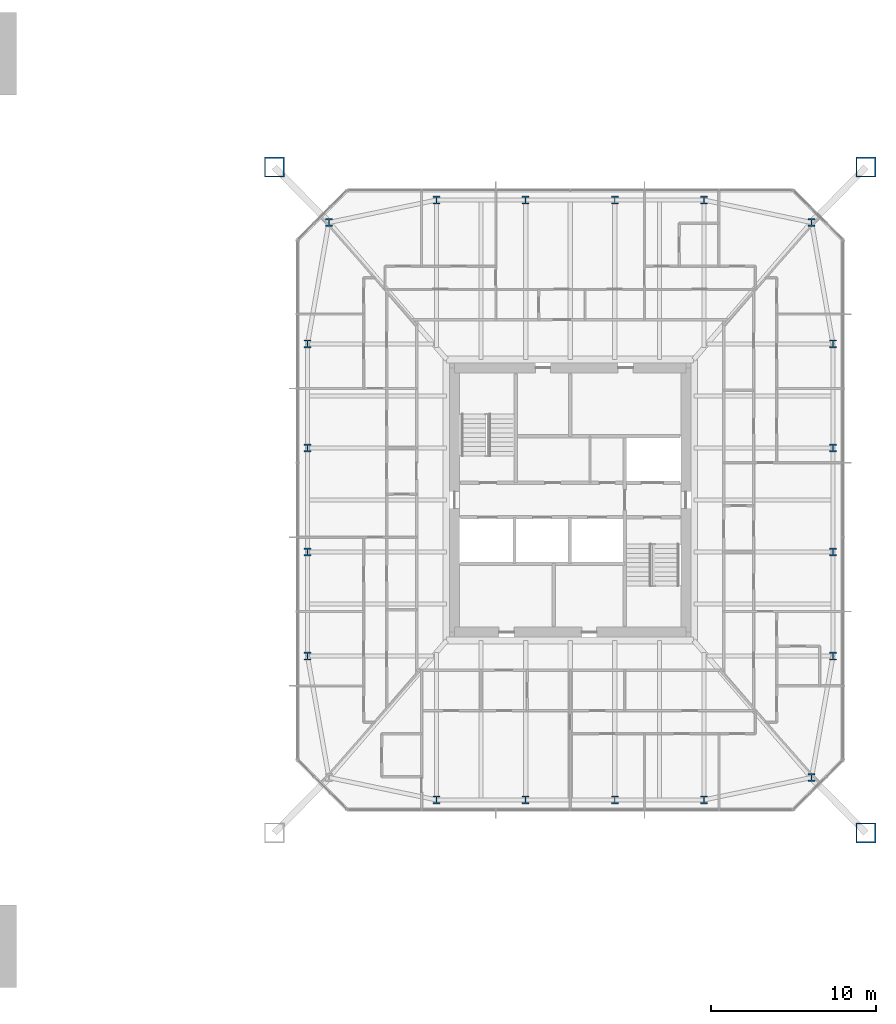
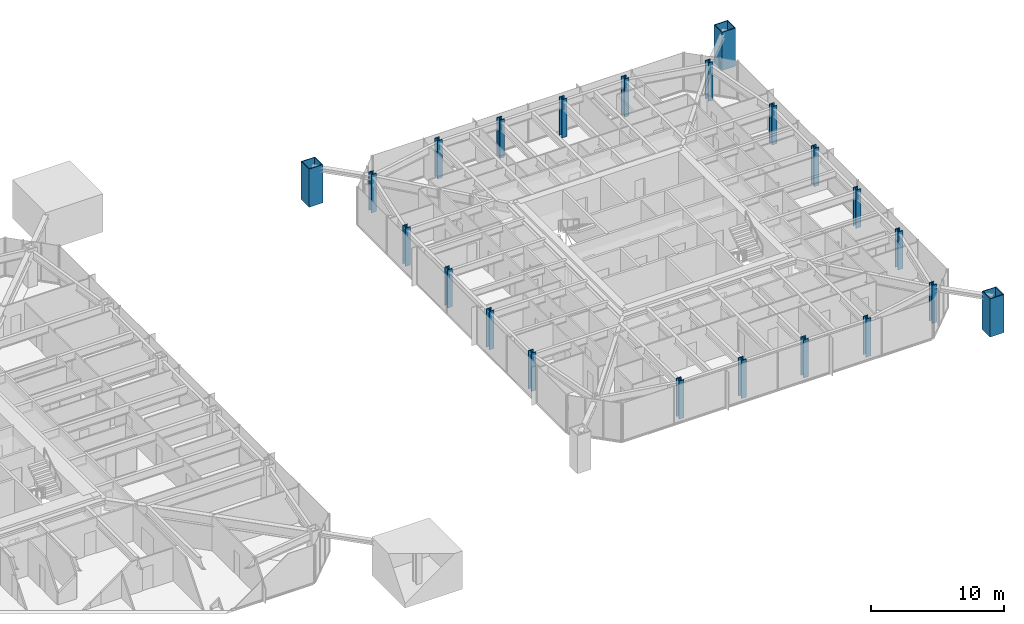
# One storey, part 2 of 26: 22 columns.
"""IFC4 building model written with IfcOpenShell, lengths in metres."""

from ifc_helpers import new_model, si_unit, direction, frame, origin, origin_2d, place, context, subcontext, project, spatial, hollow_rectangle, i_section, extrude, material, material_profile, profile_set, type_object, element, save


model = new_model("IFC4")

# Units and contexts
model_context = context("Model", 3, precision=1e-05, world=origin(), true_north=direction((0.0, 1.0)))
body_context = subcontext(model_context, "Body", "Model", "MODEL_VIEW")
ifc_project = project(units=[si_unit("LENGTHUNIT", "METRE"), si_unit("AREAUNIT", "SQUARE_METRE"), si_unit("VOLUMEUNIT", "CUBIC_METRE"), si_unit("PLANEANGLEUNIT", "RADIAN"), si_unit("MASSUNIT", "GRAM", prefix="KILO")], contexts=[model_context])

# Site, building, storey
site_placement = place(None, origin())
site = spatial("IfcSite", under=ifc_project, at=site_placement, CompositionType="ELEMENT")
building_placement = place(site_placement, origin())
building = spatial("IfcBuilding", under=site, at=building_placement, Name="Iwan Alto Co-Living Towers", CompositionType="ELEMENT")
storey_placement = place(building_placement, frame((0.0, 0.0, 36.0)))
storey = spatial("IfcBuildingStorey", under=building, at=storey_placement, Name="L09", CompositionType="ELEMENT", Elevation=36.0)

# Columns
ifc_material_1 = material(Name="Steel ASTM A572 Gr 50", Category="steel")
ifc_material_profile_1 = material_profile(ifc_material_1, hollow_rectangle(XDim=1.199951171875, YDim=1.199951171875, WallThickness=0.070068359375, at=origin_2d()), Name="BOX 1200X1200X70")
ifc_profile_set_1 = profile_set([ifc_material_profile_1], Name="Steel ASTM A572 Gr 50")
column_type_1 = type_object("IfcColumnType", Name="T2 MEGA COLUMN BOX 1200X1200X70", PredefinedType="COLUMN", material=ifc_profile_set_1)
for number, where, z_axis, x_axis, name in (
    (1, (80.89990234375, -20.14990234375, 0.0), (0.0, 0.0, 1.0), (1.0, 0.0, 0.0), "T2 mega column SE L09"),
    (2, (80.89990234375, 20.14990234375, 0.0), (0.0, 0.0, 1.0), (1.0, 0.0, 0.0), "T2 mega column NE L09"),
    (3, (45.10009765625, 20.14990234375, 0.0), (0.0, 0.0, 1.0), (1.0, 0.0, 0.0), "T2 mega column NW L09"),
):
    element("IfcColumn", number, at=place(storey_placement, frame(where, z_axis=z_axis, x_axis=x_axis)), inside=storey, type_object=column_type_1, Name=name, PredefinedType="COLUMN", context=body_context, shape_type="SweptSolid", body=[
        extrude(hollow_rectangle(XDim=1.199951171875, YDim=1.199951171875, WallThickness=0.070068359375, at=origin_2d()), origin(), (0.0, 0.0, 1.0), 3.5),
    ])
ifc_material_2 = material(Name="Steel ASTM A992 Gr 50", Category="steel")
ifc_material_profile_2 = material_profile(ifc_material_2, i_section(OverallWidth=0.424072265625, OverallDepth=0.47509765625, WebThickness=0.0478515625, FlangeThickness=0.0771484375, at=origin_2d()), Name="W14X426")
ifc_profile_set_2 = profile_set([ifc_material_profile_2], Name="Steel ASTM A992 Gr 50")
column_type_2 = type_object("IfcColumnType", Name="T2 RING COLUMN W14X426", PredefinedType="COLUMN", material=ifc_profile_set_2)
for number, where, z_axis, x_axis, name in (
    (4, (54.89990234375, -18.14990234375, 0.0), (0.0, 0.0, 1.0), (1.0, 0.0, 0.0), "T2 ring column S1 L09"),
    (5, (60.300048828125, -18.14990234375, 0.0), (0.0, 0.0, 1.0), (1.0, 0.0, 0.0), "T2 ring column S2 L09"),
    (6, (65.699951171875, -18.14990234375, 0.0), (0.0, 0.0, 1.0), (1.0, 0.0, 0.0), "T2 ring column S3 L09"),
    (7, (71.10009765625, -18.14990234375, 0.0), (0.0, 0.0, 1.0), (1.0, 0.0, 0.0), "T2 ring column S4 L09"),
    (8, (77.606201171875, -16.797119140625, 0.0), (0.0, 0.0, 1.0), (1.0, 0.0, 0.0), "T2 ring column CSE L09"),
    (9, (78.89990234375, -9.449951171875, 0.0), (0.0, 0.0, 1.0), (1.0, 0.0, 0.0), "T2 ring column E1 L09"),
    (10, (78.89990234375, -3.14990234375, 0.0), (0.0, 0.0, 1.0), (1.0, 0.0, 0.0), "T2 ring column E2 L09"),
    (11, (78.89990234375, 3.14990234375, 0.0), (0.0, 0.0, 1.0), (1.0, 0.0, 0.0), "T2 ring column E3 L09"),
    (12, (78.89990234375, 9.449951171875, 0.0), (0.0, 0.0, 1.0), (1.0, 0.0, 0.0), "T2 ring column E4 L09"),
    (13, (77.606201171875, 16.797119140625, 0.0), (0.0, 0.0, 1.0), (1.0, 0.0, 0.0), "T2 ring column CNE L09"),
    (14, (71.10009765625, 18.14990234375, 0.0), (0.0, 0.0, 1.0), (1.0, 0.0, 0.0), "T2 ring column N1 L09"),
    (15, (65.699951171875, 18.14990234375, 0.0), (0.0, 0.0, 1.0), (1.0, 0.0, 0.0), "T2 ring column N2 L09"),
    (16, (60.300048828125, 18.14990234375, 0.0), (0.0, 0.0, 1.0), (1.0, 0.0, 0.0), "T2 ring column N3 L09"),
    (17, (54.89990234375, 18.14990234375, 0.0), (0.0, 0.0, 1.0), (1.0, 0.0, 0.0), "T2 ring column N4 L09"),
    (18, (48.393798828125, 16.797119140625, 0.0), (0.0, 0.0, 1.0), (1.0, 0.0, 0.0), "T2 ring column CNW L09"),
    (19, (47.10009765625, 9.449951171875, 0.0), (0.0, 0.0, 1.0), (1.0, 0.0, 0.0), "T2 ring column W1 L09"),
    (20, (47.10009765625, 3.14990234375, 0.0), (0.0, 0.0, 1.0), (1.0, 0.0, 0.0), "T2 ring column W2 L09"),
    (21, (47.10009765625, -3.14990234375, 0.0), (0.0, 0.0, 1.0), (1.0, 0.0, 0.0), "T2 ring column W3 L09"),
    (22, (47.10009765625, -9.449951171875, 0.0), (0.0, 0.0, 1.0), (1.0, 0.0, 0.0), "T2 ring column W4 L09"),
):
    element("IfcColumn", number, at=place(storey_placement, frame(where, z_axis=z_axis, x_axis=x_axis)), inside=storey, type_object=column_type_2, Name=name, PredefinedType="COLUMN", context=body_context, shape_type="SweptSolid", body=[
        extrude(i_section(OverallWidth=0.424072265625, OverallDepth=0.47509765625, WebThickness=0.0478515625, FlangeThickness=0.0771484375, at=origin_2d()), origin(), (0.0, 0.0, 1.0), 3.5),
    ])

save(model, "model.ifc")
